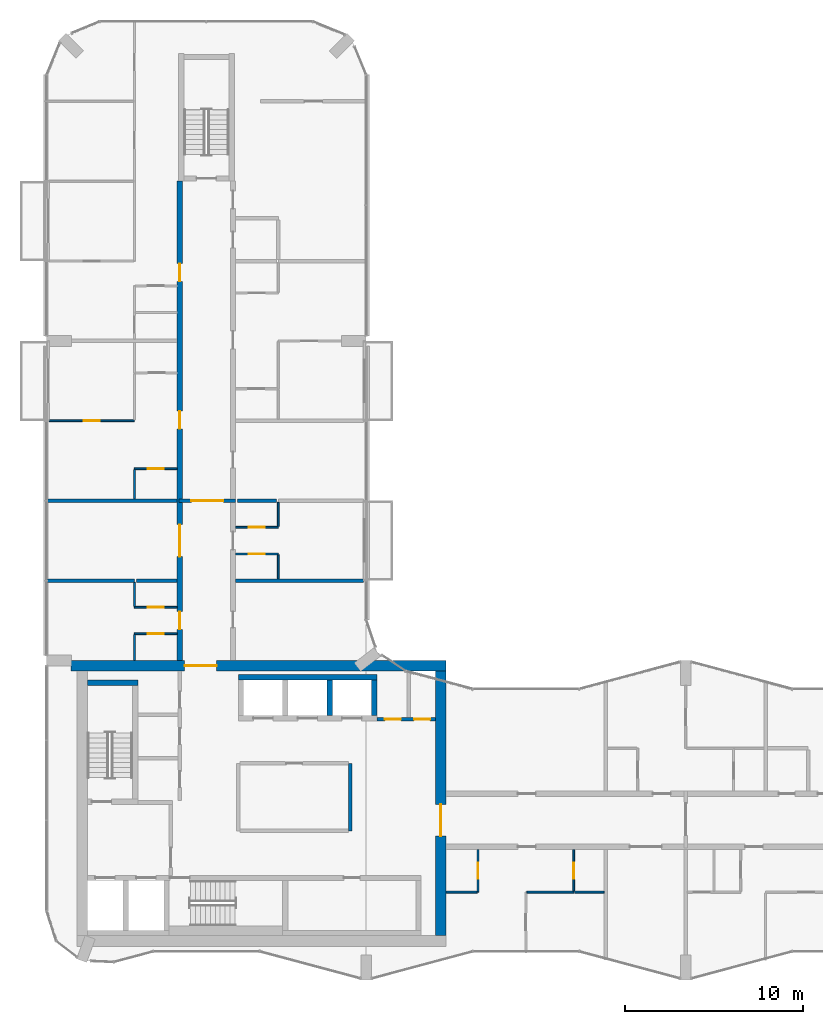
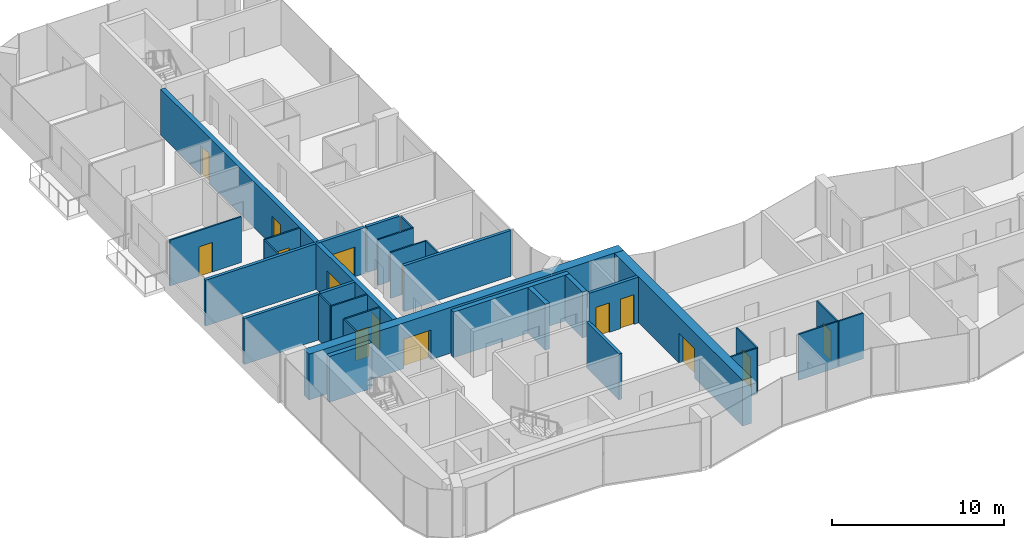
# One storey, part 10 of 15: 31 walls, 17 doors, 17 openings.
"""IFC4 building model written with IfcOpenShell, lengths in metres."""

from ifc_helpers import new_model, si_unit, direction, frame, frame_2d, origin, place, context, subcontext, project, spatial, rectangle, extrude, material, layer, layer_set, type_object, element, fill, save


model = new_model("IFC4")

# Units and contexts
model_context = context("Model", 3, precision=1e-05, world=origin(), true_north=direction((0.0, 1.0)))
body_context = subcontext(model_context, "Body", "Model", "MODEL_VIEW")
ifc_project = project(units=[si_unit("LENGTHUNIT", "METRE"), si_unit("AREAUNIT", "SQUARE_METRE"), si_unit("VOLUMEUNIT", "CUBIC_METRE"), si_unit("PLANEANGLEUNIT", "RADIAN"), si_unit("MASSUNIT", "GRAM", prefix="KILO")], contexts=[model_context])

# Site, building, storey
site_placement = place(None, origin())
site = spatial("IfcSite", under=ifc_project, at=site_placement, CompositionType="ELEMENT")
building_placement = place(site_placement, origin())
building = spatial("IfcBuilding", under=site, at=building_placement, Name="Plateau Cross Towers", CompositionType="ELEMENT")
storey_placement = place(building_placement, frame((0.0, 0.0, 153.39990234375)))
storey = spatial("IfcBuildingStorey", under=building, at=storey_placement, Name="L39", CompositionType="ELEMENT", Elevation=153.39990234375)

# Wall
ifc_material_1 = material(Name="Concrete block, plastered both sides", Category="concrete")
ifc_layer_1 = layer(ifc_material_1, 0.199951171875)
ifc_layer_set_1 = layer_set([ifc_layer_1], Name="Concrete block, plastered both sides")
wall_type_1 = type_object("IfcWallType", Name="Core partition 200", PredefinedType="PARTITIONING", material=ifc_layer_set_1)
wall_1_placement = place(storey_placement, frame((17.10009765625, 8.39990234375, 0.0), z_axis=(0.0, 0.0, 1.0), x_axis=(0.0, 1.0, 0.0)))
element("IfcWall", 1, at=wall_1_placement, inside=storey, type_object=wall_type_1, Name="Core partition", PredefinedType="PARTITIONING", context=body_context, shape_type="SweptSolid", body=[
    extrude(rectangle(XDim=3.800048828125, YDim=0.199951171875, at=frame_2d((1.89990234375, 0.0))), origin(), (0.0, 0.0, 1.0), 3.25),
])

# Wall, openings, doors
wall_2_placement = place(storey_placement, frame((18.60009765625, 14.699951171875, 0.0), z_axis=(0.0, 0.0, 1.0), x_axis=(1.0, 0.0, 0.0)))
wall_2 = element("IfcWall", 2, at=wall_2_placement, inside=storey, type_object=wall_type_1, Name="Core partition", PredefinedType="PARTITIONING", context=body_context, shape_type="SweptSolid", body=[
    extrude(rectangle(XDim=3.2998046875, YDim=0.199951171875, at=frame_2d((1.64990234375, 0.0))), origin(), (0.0, 0.0, 1.0), 3.25),
])
opening_1_placement = place(wall_2_placement, frame((0.449951171875, 0.0, 0.0)))
opening_1 = element("IfcOpeningElement", 3, at=opening_1_placement, cuts=wall_2, Name="Opening RD2", PredefinedType="OPENING", context=body_context, shape_type="SweptSolid", body=[
    extrude(rectangle(XDim=0.89990234375, YDim=2.10009765625, at=frame_2d((0.449951171875, 1.050048828125))), frame((0.0, 0.10986328125, 0.0), z_axis=(0.0, -1.0, 0.0), x_axis=(1.0, 0.0, 0.0)), (0.0, 0.0, 1.0), 0.219970703125),
])
opening_2_placement = place(wall_2_placement, frame((2.10009765625, 0.0, 0.0)))
opening_2 = element("IfcOpeningElement", 4, at=opening_2_placement, cuts=wall_2, Name="Opening RD2", PredefinedType="OPENING", context=body_context, shape_type="SweptSolid", body=[
    extrude(rectangle(XDim=0.89990234375, YDim=2.10009765625, at=frame_2d((0.449951171875, 1.050048828125))), frame((0.0, 0.10986328125, 0.0), z_axis=(0.0, -1.0, 0.0), x_axis=(1.0, 0.0, 0.0)), (0.0, 0.0, 1.0), 0.219970703125),
])
ifc_material_2 = material(Name="Steel, fire-resisting leaf", Category="steel")
door_type_1 = type_object("IfcDoorType", Name="Core riser door 900", OperationType="NOTDEFINED", PredefinedType="DOOR", material=ifc_material_2)
door_1_placement = place(opening_1_placement, origin())
door_1 = element("IfcDoor", 5, at=door_1_placement, inside=storey, type_object=door_type_1, Name="Core riser door RD2", OperationType="SINGLE_SWING_LEFT", OverallHeight=2.10009765625, OverallWidth=0.89990234375, PredefinedType="DOOR", context=body_context, shape_type="SweptSolid", body=[
    extrude(rectangle(XDim=0.89990234375, YDim=2.10009765625, at=frame_2d((0.449951171875, 1.050048828125))), frame((0.0, 0.02490234375, 0.0), z_axis=(0.0, -1.0, 0.0), x_axis=(1.0, 0.0, 0.0)), (0.0, 0.0, 1.0), 0.050048828125),
])
fill(opening_1, door_1)
door_2_placement = place(opening_2_placement, origin())
door_2 = element("IfcDoor", 6, at=door_2_placement, inside=storey, type_object=door_type_1, Name="Core riser door RD2", OperationType="SINGLE_SWING_LEFT", OverallHeight=2.10009765625, OverallWidth=0.89990234375, PredefinedType="DOOR", context=body_context, shape_type="SweptSolid", body=[
    extrude(rectangle(XDim=0.89990234375, YDim=2.10009765625, at=frame_2d((0.449951171875, 1.050048828125))), frame((0.0, 0.02490234375, 0.0), z_axis=(0.0, -1.0, 0.0), x_axis=(1.0, 0.0, 0.0)), (0.0, 0.0, 1.0), 0.050048828125),
])
fill(opening_2, door_2)

# Walls
ifc_material_3 = material(Name="Concrete C60/75", Category="concrete")
ifc_layer_2 = layer(ifc_material_3, 0.300048828125)
ifc_layer_set_2 = layer_set([ifc_layer_2], Name="Concrete C60/75")
wall_type_2 = type_object("IfcWallType", Name="Core shaft wall 300", PredefinedType="SHEAR", material=ifc_layer_set_2)
wall_3_placement = place(storey_placement, frame((2.300048828125, 16.75, 0.0), z_axis=(0.0, 0.0, 1.0), x_axis=(1.0, 0.0, 0.0)))
element("IfcWall", 7, at=wall_3_placement, inside=storey, type_object=wall_type_2, Name="A-st1-N@L39", PredefinedType="SHEAR", context=body_context, shape_type="SweptSolid", body=[
    extrude(rectangle(XDim=2.849853515625, YDim=0.300048828125, at=frame_2d((1.4248046875, 0.0))), origin(), (0.0, 0.0, 1.0), 3.25),
])
wall_4_placement = place(storey_placement, frame((10.800048828125, 17.050048828125, 0.0), z_axis=(0.0, 0.0, 1.0), x_axis=(1.0, 0.0, 0.0)))
element("IfcWall", 8, at=wall_4_placement, inside=storey, type_object=wall_type_2, Name="A-nb-back@L39", PredefinedType="SHEAR", context=body_context, shape_type="SweptSolid", body=[
    extrude(rectangle(XDim=7.800048828125, YDim=0.300048828125, at=frame_2d((3.89990234375, 0.0))), origin(), (0.0, 0.0, 1.0), 3.25),
])
for number, where, z_axis, x_axis, name in (
    (9, (15.949951171875, 14.89990234375, 0.0), (0.0, 0.0, 1.0), (0.0, 1.0, 0.0), "A-nb-v3@L39"),
    (10, (18.449951171875, 14.89990234375, 0.0), (0.0, 0.0, 1.0), (0.0, 1.0, 0.0), "A-nb-v4@L39"),
):
    element("IfcWall", number, at=place(storey_placement, frame(where, z_axis=z_axis, x_axis=x_axis)), inside=storey, type_object=wall_type_2, Name=name, PredefinedType="SHEAR", context=body_context, shape_type="SweptSolid", body=[
        extrude(rectangle(XDim=2.0, YDim=0.300048828125, at=frame_2d((1.0, 0.0))), origin(), (0.0, 0.0, 1.0), 3.25),
    ])

# Wall, opening, door
ifc_layer_3 = layer(ifc_material_3, 0.60009765625)
ifc_layer_set_3 = layer_set([ifc_layer_3], Name="Concrete C60/75")
wall_type_3 = type_object("IfcWallType", Name="Core shell wall 600", PredefinedType="SHEAR", material=ifc_layer_set_3)
wall_5_placement = place(storey_placement, frame((1.3798828125, 17.699951171875, 0.0), z_axis=(0.0, 0.0, 1.0), x_axis=(1.0, 0.0, 0.0)))
wall_5 = element("IfcWall", 11, at=wall_5_placement, inside=storey, type_object=wall_type_3, Name="A-core-N@L39", PredefinedType="SHEAR", context=body_context, shape_type="SweptSolid", body=[
    extrude(rectangle(XDim=21.1201171875, YDim=0.60009765625, at=frame_2d((10.56005859375, 0.0))), origin(), (0.0, 0.0, 1.0), 3.25),
])
opening_3_placement = place(wall_5_placement, frame((6.39990234375, 0.0, 0.0)))
opening_3 = element("IfcOpeningElement", 12, at=opening_3_placement, cuts=wall_5, Name="Opening CD", PredefinedType="OPENING", context=body_context, shape_type="SweptSolid", body=[
    extrude(rectangle(XDim=1.800048828125, YDim=2.10009765625, at=frame_2d((0.89990234375, 1.050048828125))), frame((0.0, 0.31005859375, 0.0), z_axis=(0.0, -1.0, 0.0), x_axis=(1.0, 0.0, 0.0)), (0.0, 0.0, 1.0), 0.6201171875),
])
ifc_material_4 = material(Name="Steel, fire-resisting leaves", Category="steel")
door_type_2 = type_object("IfcDoorType", Name="Corridor door pair 1800", OperationType="NOTDEFINED", PredefinedType="DOOR", material=ifc_material_4)
door_3_placement = place(opening_3_placement, origin())
door_3 = element("IfcDoor", 13, at=door_3_placement, inside=storey, type_object=door_type_2, Name="Corridor door pair CD", OperationType="DOUBLE_DOOR_SINGLE_SWING", OverallHeight=2.10009765625, OverallWidth=1.800048828125, PredefinedType="DOOR", context=body_context, shape_type="SweptSolid", body=[
    extrude(rectangle(XDim=1.800048828125, YDim=2.10009765625, at=frame_2d((0.89990234375, 1.050048828125))), frame((0.0, 0.02490234375, 0.0), z_axis=(0.0, -1.0, 0.0), x_axis=(1.0, 0.0, 0.0)), (0.0, 0.0, 1.0), 0.050048828125),
])
fill(opening_3, door_3)

wall_6_placement = place(storey_placement, frame((22.199951171875, 2.5, 0.0), z_axis=(0.0, 0.0, 1.0), x_axis=(0.0, 1.0, 0.0)))
wall_6 = element("IfcWall", 14, at=wall_6_placement, inside=storey, type_object=wall_type_3, Name="A-core-E@L39", PredefinedType="SHEAR", context=body_context, shape_type="SweptSolid", body=[
    extrude(rectangle(XDim=14.89990234375, YDim=0.60009765625, at=frame_2d((7.449951171875, 0.0))), origin(), (0.0, 0.0, 1.0), 3.25),
])
opening_4_placement = place(wall_6_placement, frame((5.60009765625, 0.0, 0.0)))
opening_4 = element("IfcOpeningElement", 15, at=opening_4_placement, cuts=wall_6, Name="Opening CD", PredefinedType="OPENING", context=body_context, shape_type="SweptSolid", body=[
    extrude(rectangle(XDim=1.800048828125, YDim=2.10009765625, at=frame_2d((0.89990234375, 1.050048828125))), frame((0.0, 0.31005859375, 0.0), z_axis=(0.0, -1.0, 0.0), x_axis=(1.0, 0.0, 0.0)), (0.0, 0.0, 1.0), 0.6201171875),
])
door_4_placement = place(opening_4_placement, origin())
door_4 = element("IfcDoor", 16, at=door_4_placement, inside=storey, type_object=door_type_2, Name="Corridor door pair CD", OperationType="DOUBLE_DOOR_SINGLE_SWING", OverallHeight=2.10009765625, OverallWidth=1.800048828125, PredefinedType="DOOR", context=body_context, shape_type="SweptSolid", body=[
    extrude(rectangle(XDim=1.800048828125, YDim=2.10009765625, at=frame_2d((0.89990234375, 1.050048828125))), frame((0.0, 0.02490234375, 0.0), z_axis=(0.0, -1.0, 0.0), x_axis=(1.0, 0.0, 0.0)), (0.0, 0.0, 1.0), 0.050048828125),
])
fill(opening_4, door_4)

# Wall, openings, doors
ifc_layer_4 = layer(ifc_material_3, 0.300048828125)
ifc_layer_set_4 = layer_set([ifc_layer_4], Name="Concrete C60/75")
wall_type_4 = type_object("IfcWallType", Name="Corridor wall 300", PredefinedType="SHEAR", material=ifc_layer_set_4)
wall_7_placement = place(storey_placement, frame((7.5, 18.0, 0.0), z_axis=(0.0, 0.0, 1.0), x_axis=(0.0, 1.0, 0.0)))
wall_7 = element("IfcWall", 17, at=wall_7_placement, inside=storey, type_object=wall_type_4, Name="A-cw-W1@L39", PredefinedType="SHEAR", context=body_context, shape_type="SweptSolid", body=[
    extrude(rectangle(XDim=27.0, YDim=0.300048828125, at=frame_2d((13.5, 0.0))), origin(), (0.0, 0.0, 1.0), 3.25),
])
opening_5_placement = place(wall_7_placement, frame((1.75, 0.0, 0.0)))
opening_5 = element("IfcOpeningElement", 18, at=opening_5_placement, cuts=wall_7, Name="Opening 39-08", PredefinedType="OPENING", context=body_context, shape_type="SweptSolid", body=[
    extrude(rectangle(XDim=1.0, YDim=2.10009765625, at=frame_2d((0.5, 1.050048828125))), frame((0.0, 0.159912109375, 0.0), z_axis=(0.0, -1.0, 0.0), x_axis=(1.0, 0.0, 0.0)), (0.0, 0.0, 1.0), 0.320068359375),
])
opening_6_placement = place(wall_7_placement, frame((5.85009765625, 0.0, 0.0)))
opening_6 = element("IfcOpeningElement", 19, at=opening_6_placement, cuts=wall_7, Name="Opening 39-09", PredefinedType="OPENING", context=body_context, shape_type="SweptSolid", body=[
    extrude(rectangle(XDim=1.800048828125, YDim=2.10009765625, at=frame_2d((0.89990234375, 1.050048828125))), frame((0.0, 0.159912109375, 0.0), z_axis=(0.0, -1.0, 0.0), x_axis=(1.0, 0.0, 0.0)), (0.0, 0.0, 1.0), 0.320068359375),
])
opening_7_placement = place(wall_7_placement, frame((13.050048828125, 0.0, 0.0)))
opening_7 = element("IfcOpeningElement", 20, at=opening_7_placement, cuts=wall_7, Name="Opening 39-10", PredefinedType="OPENING", context=body_context, shape_type="SweptSolid", body=[
    extrude(rectangle(XDim=1.0, YDim=2.10009765625, at=frame_2d((0.5, 1.050048828125))), frame((0.0, 0.159912109375, 0.0), z_axis=(0.0, -1.0, 0.0), x_axis=(1.0, 0.0, 0.0)), (0.0, 0.0, 1.0), 0.320068359375),
])
opening_8_placement = place(wall_7_placement, frame((21.35009765625, 0.0, 0.0)))
opening_8 = element("IfcOpeningElement", 21, at=opening_8_placement, cuts=wall_7, Name="Opening 39-11", PredefinedType="OPENING", context=body_context, shape_type="SweptSolid", body=[
    extrude(rectangle(XDim=1.0, YDim=2.10009765625, at=frame_2d((0.5, 1.050048828125))), frame((0.0, 0.159912109375, 0.0), z_axis=(0.0, -1.0, 0.0), x_axis=(1.0, 0.0, 0.0)), (0.0, 0.0, 1.0), 0.320068359375),
])
ifc_material_5 = material(Name="Timber, fire-resisting leaf", Category="wood")
door_type_3 = type_object("IfcDoorType", Name="Flat entrance door 1000", OperationType="NOTDEFINED", PredefinedType="DOOR", material=ifc_material_5)
door_5_placement = place(opening_5_placement, origin())
door_5 = element("IfcDoor", 22, at=door_5_placement, inside=storey, type_object=door_type_3, Name="Door 39-08", OperationType="SINGLE_SWING_LEFT", OverallHeight=2.10009765625, OverallWidth=1.0, PredefinedType="DOOR", context=body_context, shape_type="SweptSolid", body=[
    extrude(rectangle(XDim=1.0, YDim=2.10009765625, at=frame_2d((0.5, 1.050048828125))), frame((0.0, 0.02490234375, 0.0), z_axis=(0.0, -1.0, 0.0), x_axis=(1.0, 0.0, 0.0)), (0.0, 0.0, 1.0), 0.050048828125),
])
fill(opening_5, door_5)
door_6_placement = place(opening_7_placement, origin())
door_6 = element("IfcDoor", 23, at=door_6_placement, inside=storey, type_object=door_type_3, Name="Door 39-10", OperationType="SINGLE_SWING_RIGHT", OverallHeight=2.10009765625, OverallWidth=1.0, PredefinedType="DOOR", context=body_context, shape_type="SweptSolid", body=[
    extrude(rectangle(XDim=1.0, YDim=2.10009765625, at=frame_2d((0.5, 1.050048828125))), frame((0.0, 0.02490234375, 0.0), z_axis=(0.0, -1.0, 0.0), x_axis=(1.0, 0.0, 0.0)), (0.0, 0.0, 1.0), 0.050048828125),
])
fill(opening_7, door_6)
door_7_placement = place(opening_8_placement, origin())
door_7 = element("IfcDoor", 24, at=door_7_placement, inside=storey, type_object=door_type_3, Name="Door 39-11", OperationType="SINGLE_SWING_RIGHT", OverallHeight=2.10009765625, OverallWidth=1.0, PredefinedType="DOOR", context=body_context, shape_type="SweptSolid", body=[
    extrude(rectangle(XDim=1.0, YDim=2.10009765625, at=frame_2d((0.5, 1.050048828125))), frame((0.0, 0.02490234375, 0.0), z_axis=(0.0, -1.0, 0.0), x_axis=(1.0, 0.0, 0.0)), (0.0, 0.0, 1.0), 0.050048828125),
])
fill(opening_8, door_7)
ifc_material_6 = material(Name="Timber, fire-resisting leaves", Category="wood")
door_type_4 = type_object("IfcDoorType", Name="Flat floor fire door pair 1800", OperationType="NOTDEFINED", PredefinedType="DOOR", material=ifc_material_6)
door_8_placement = place(opening_6_placement, origin())
door_8 = element("IfcDoor", 25, at=door_8_placement, inside=storey, type_object=door_type_4, Name="Door 39-09", OperationType="SINGLE_SWING_LEFT", OverallHeight=2.10009765625, OverallWidth=1.800048828125, PredefinedType="DOOR", context=body_context, shape_type="SweptSolid", body=[
    extrude(rectangle(XDim=1.800048828125, YDim=2.10009765625, at=frame_2d((0.89990234375, 1.050048828125))), frame((0.0, 0.02490234375, 0.0), z_axis=(0.0, -1.0, 0.0), x_axis=(1.0, 0.0, 0.0)), (0.0, 0.0, 1.0), 0.050048828125),
])
fill(opening_6, door_8)

# Walls
ifc_material_7 = material(Name="Gypsum board on steel studs", Category="steel")
ifc_layer_5 = layer(ifc_material_7, 0.10009765625)
ifc_layer_set_5 = layer_set([ifc_layer_5], Name="Gypsum board on steel studs")
wall_type_5 = type_object("IfcWallType", Name="Flat partition 100", PredefinedType="PARTITIONING", material=ifc_layer_set_5)
wall_8_placement = place(storey_placement, frame((29.699951171875, 4.949951171875, 0.0), z_axis=(0.0, 0.0, 1.0), x_axis=(-1.0, 0.0, 0.0)))
element("IfcWall", 26, at=wall_8_placement, inside=storey, type_object=wall_type_5, Name="Partition wall", PredefinedType="PARTITIONING", context=body_context, shape_type="SweptSolid", body=[
    extrude(rectangle(XDim=2.64990234375, YDim=0.10009765625, at=frame_2d((1.324951171875, 0.0))), origin(), (0.0, 0.0, 1.0), 3.25),
])
wall_9_placement = place(storey_placement, frame((22.5, 4.949951171875, 0.0), z_axis=(0.0, 0.0, 1.0), x_axis=(1.0, 0.0, 0.0)))
element("IfcWall", 27, at=wall_9_placement, inside=storey, type_object=wall_type_5, Name="Partition wall", PredefinedType="PARTITIONING", context=body_context, shape_type="SweptSolid", body=[
    extrude(rectangle(XDim=1.75, YDim=0.10009765625, at=frame_2d((0.875, 0.0))), origin(), (0.0, 0.0, 1.0), 3.25),
])
wall_10_placement = place(storey_placement, frame((29.75, 4.949951171875, 0.0), z_axis=(0.0, 0.0, 1.0), x_axis=(1.0, 0.0, 0.0)))
element("IfcWall", 28, at=wall_10_placement, inside=storey, type_object=wall_type_5, Name="Partition wall", PredefinedType="PARTITIONING", context=body_context, shape_type="SweptSolid", body=[
    extrude(rectangle(XDim=1.64990234375, YDim=0.10009765625, at=frame_2d((0.824951171875, 0.0))), origin(), (0.0, 0.0, 1.0), 3.25),
])

# Wall, opening, door
wall_11_placement = place(storey_placement, frame((7.35009765625, 19.5, 0.0), z_axis=(0.0, 0.0, 1.0), x_axis=(-1.0, 0.0, 0.0)))
wall_11 = element("IfcWall", 29, at=wall_11_placement, inside=storey, type_object=wall_type_5, Name="Partition wall", PredefinedType="PARTITIONING", context=body_context, shape_type="SweptSolid", body=[
    extrude(rectangle(XDim=2.400146484375, YDim=0.10009765625, at=frame_2d((1.2001953125, 0.0))), origin(), (0.0, 0.0, 1.0), 3.25),
])
opening_9_placement = place(wall_11_placement, frame((0.75, 0.0, 0.0)))
opening_9 = element("IfcOpeningElement", 30, at=opening_9_placement, cuts=wall_11, Name="Opening 39-33", PredefinedType="OPENING", context=body_context, shape_type="SweptSolid", body=[
    extrude(rectangle(XDim=0.89990234375, YDim=2.10009765625, at=frame_2d((0.449951171875, 1.050048828125))), frame((0.0, 0.06005859375, 0.0), z_axis=(0.0, -1.0, 0.0), x_axis=(1.0, 0.0, 0.0)), (0.0, 0.0, 1.0), 0.1201171875),
])
ifc_material_8 = material(Name="Timber leaf", Category="wood")
door_type_5 = type_object("IfcDoorType", Name="Flat room door 900", OperationType="NOTDEFINED", PredefinedType="DOOR", material=ifc_material_8)
door_9_placement = place(opening_9_placement, origin())
door_9 = element("IfcDoor", 31, at=door_9_placement, inside=storey, type_object=door_type_5, Name="Door 39-33", OperationType="SINGLE_SWING_RIGHT", OverallHeight=2.10009765625, OverallWidth=0.89990234375, PredefinedType="DOOR", context=body_context, shape_type="SweptSolid", body=[
    extrude(rectangle(XDim=0.89990234375, YDim=2.10009765625, at=frame_2d((0.449951171875, 1.050048828125))), frame((0.0, 0.02490234375, 0.0), z_axis=(0.0, -1.0, 0.0), x_axis=(1.0, 0.0, 0.0)), (0.0, 0.0, 1.0), 0.050048828125),
])
fill(opening_9, door_9)

wall_12_placement = place(storey_placement, frame((4.949951171875, 21.0, 0.0), z_axis=(0.0, 0.0, 1.0), x_axis=(1.0, 0.0, 0.0)))
wall_12 = element("IfcWall", 32, at=wall_12_placement, inside=storey, type_object=wall_type_5, Name="Partition wall", PredefinedType="PARTITIONING", context=body_context, shape_type="SweptSolid", body=[
    extrude(rectangle(XDim=2.400146484375, YDim=0.10009765625, at=frame_2d((1.2001953125, 0.0))), origin(), (0.0, 0.0, 1.0), 3.25),
])
opening_10_placement = place(wall_12_placement, frame((0.75, 0.0, 0.0)))
opening_10 = element("IfcOpeningElement", 33, at=opening_10_placement, cuts=wall_12, Name="Opening 39-34", PredefinedType="OPENING", context=body_context, shape_type="SweptSolid", body=[
    extrude(rectangle(XDim=0.89990234375, YDim=2.10009765625, at=frame_2d((0.449951171875, 1.050048828125))), frame((0.0, 0.06005859375, 0.0), z_axis=(0.0, -1.0, 0.0), x_axis=(1.0, 0.0, 0.0)), (0.0, 0.0, 1.0), 0.1201171875),
])
door_10_placement = place(opening_10_placement, origin())
door_10 = element("IfcDoor", 34, at=door_10_placement, inside=storey, type_object=door_type_5, Name="Door 39-34", OperationType="SINGLE_SWING_RIGHT", OverallHeight=2.10009765625, OverallWidth=0.89990234375, PredefinedType="DOOR", context=body_context, shape_type="SweptSolid", body=[
    extrude(rectangle(XDim=0.89990234375, YDim=2.10009765625, at=frame_2d((0.449951171875, 1.050048828125))), frame((0.0, 0.02490234375, 0.0), z_axis=(0.0, -1.0, 0.0), x_axis=(1.0, 0.0, 0.0)), (0.0, 0.0, 1.0), 0.050048828125),
])
fill(opening_10, door_10)

wall_13_placement = place(storey_placement, frame((13.050048828125, 24.0, 0.0), z_axis=(0.0, 0.0, 1.0), x_axis=(-1.0, 0.0, 0.0)))
wall_13 = element("IfcWall", 35, at=wall_13_placement, inside=storey, type_object=wall_type_5, Name="Partition wall", PredefinedType="PARTITIONING", context=body_context, shape_type="SweptSolid", body=[
    extrude(rectangle(XDim=2.400146484375, YDim=0.10009765625, at=frame_2d((1.2001953125, 0.0))), origin(), (0.0, 0.0, 1.0), 3.25),
])
opening_11_placement = place(wall_13_placement, frame((0.75, 0.0, 0.0)))
opening_11 = element("IfcOpeningElement", 36, at=opening_11_placement, cuts=wall_13, Name="Opening 39-43", PredefinedType="OPENING", context=body_context, shape_type="SweptSolid", body=[
    extrude(rectangle(XDim=0.89990234375, YDim=2.10009765625, at=frame_2d((0.449951171875, 1.050048828125))), frame((0.0, 0.06005859375, 0.0), z_axis=(0.0, -1.0, 0.0), x_axis=(1.0, 0.0, 0.0)), (0.0, 0.0, 1.0), 0.1201171875),
])
door_11_placement = place(opening_11_placement, origin())
door_11 = element("IfcDoor", 37, at=door_11_placement, inside=storey, type_object=door_type_5, Name="Door 39-43", OperationType="SINGLE_SWING_LEFT", OverallHeight=2.10009765625, OverallWidth=0.89990234375, PredefinedType="DOOR", context=body_context, shape_type="SweptSolid", body=[
    extrude(rectangle(XDim=0.89990234375, YDim=2.10009765625, at=frame_2d((0.449951171875, 1.050048828125))), frame((0.0, 0.02490234375, 0.0), z_axis=(0.0, -1.0, 0.0), x_axis=(1.0, 0.0, 0.0)), (0.0, 0.0, 1.0), 0.050048828125),
])
fill(opening_11, door_11)

wall_14_placement = place(storey_placement, frame((10.64990234375, 25.5, 0.0), z_axis=(0.0, 0.0, 1.0), x_axis=(1.0, 0.0, 0.0)))
wall_14 = element("IfcWall", 38, at=wall_14_placement, inside=storey, type_object=wall_type_5, Name="Partition wall", PredefinedType="PARTITIONING", context=body_context, shape_type="SweptSolid", body=[
    extrude(rectangle(XDim=2.400146484375, YDim=0.10009765625, at=frame_2d((1.2001953125, 0.0))), origin(), (0.0, 0.0, 1.0), 3.25),
])
opening_12_placement = place(wall_14_placement, frame((0.75, 0.0, 0.0)))
opening_12 = element("IfcOpeningElement", 39, at=opening_12_placement, cuts=wall_14, Name="Opening 39-44", PredefinedType="OPENING", context=body_context, shape_type="SweptSolid", body=[
    extrude(rectangle(XDim=0.89990234375, YDim=2.10009765625, at=frame_2d((0.449951171875, 1.050048828125))), frame((0.0, 0.06005859375, 0.0), z_axis=(0.0, -1.0, 0.0), x_axis=(1.0, 0.0, 0.0)), (0.0, 0.0, 1.0), 0.1201171875),
])
door_12_placement = place(opening_12_placement, origin())
door_12 = element("IfcDoor", 40, at=door_12_placement, inside=storey, type_object=door_type_5, Name="Door 39-44", OperationType="SINGLE_SWING_LEFT", OverallHeight=2.10009765625, OverallWidth=0.89990234375, PredefinedType="DOOR", context=body_context, shape_type="SweptSolid", body=[
    extrude(rectangle(XDim=0.89990234375, YDim=2.10009765625, at=frame_2d((0.449951171875, 1.050048828125))), frame((0.0, 0.02490234375, 0.0), z_axis=(0.0, -1.0, 0.0), x_axis=(1.0, 0.0, 0.0)), (0.0, 0.0, 1.0), 0.050048828125),
])
fill(opening_12, door_12)

wall_15_placement = place(storey_placement, frame((7.35009765625, 28.800048828125, 0.0), z_axis=(0.0, 0.0, 1.0), x_axis=(-1.0, 0.0, 0.0)))
wall_15 = element("IfcWall", 41, at=wall_15_placement, inside=storey, type_object=wall_type_5, Name="Partition wall", PredefinedType="PARTITIONING", context=body_context, shape_type="SweptSolid", body=[
    extrude(rectangle(XDim=2.400146484375, YDim=0.10009765625, at=frame_2d((1.2001953125, 0.0))), origin(), (0.0, 0.0, 1.0), 3.25),
])
opening_13_placement = place(wall_15_placement, frame((0.75, 0.0, 0.0)))
opening_13 = element("IfcOpeningElement", 42, at=opening_13_placement, cuts=wall_15, Name="Opening 39-35", PredefinedType="OPENING", context=body_context, shape_type="SweptSolid", body=[
    extrude(rectangle(XDim=0.89990234375, YDim=2.10009765625, at=frame_2d((0.449951171875, 1.050048828125))), frame((0.0, 0.06005859375, 0.0), z_axis=(0.0, -1.0, 0.0), x_axis=(1.0, 0.0, 0.0)), (0.0, 0.0, 1.0), 0.1201171875),
])
door_13_placement = place(opening_13_placement, origin())
door_13 = element("IfcDoor", 43, at=door_13_placement, inside=storey, type_object=door_type_5, Name="Door 39-35", OperationType="SINGLE_SWING_RIGHT", OverallHeight=2.10009765625, OverallWidth=0.89990234375, PredefinedType="DOOR", context=body_context, shape_type="SweptSolid", body=[
    extrude(rectangle(XDim=0.89990234375, YDim=2.10009765625, at=frame_2d((0.449951171875, 1.050048828125))), frame((0.0, 0.02490234375, 0.0), z_axis=(0.0, -1.0, 0.0), x_axis=(1.0, 0.0, 0.0)), (0.0, 0.0, 1.0), 0.050048828125),
])
fill(opening_13, door_13)

wall_16_placement = place(storey_placement, frame((0.14990234375, 31.5, 0.0), z_axis=(0.0, 0.0, 1.0), x_axis=(1.0, 0.0, 0.0)))
wall_16 = element("IfcWall", 44, at=wall_16_placement, inside=storey, type_object=wall_type_5, Name="Partition wall", PredefinedType="PARTITIONING", context=body_context, shape_type="SweptSolid", body=[
    extrude(rectangle(XDim=4.800048828125, YDim=0.10009765625, at=frame_2d((2.39990234375, 0.0))), origin(), (0.0, 0.0, 1.0), 3.25),
])
opening_14_placement = place(wall_16_placement, frame((1.949951171875, 0.0, 0.0)))
opening_14 = element("IfcOpeningElement", 45, at=opening_14_placement, cuts=wall_16, Name="Opening 39-37", PredefinedType="OPENING", context=body_context, shape_type="SweptSolid", body=[
    extrude(rectangle(XDim=0.89990234375, YDim=2.10009765625, at=frame_2d((0.449951171875, 1.050048828125))), frame((0.0, 0.06005859375, 0.0), z_axis=(0.0, -1.0, 0.0), x_axis=(1.0, 0.0, 0.0)), (0.0, 0.0, 1.0), 0.1201171875),
])
door_14_placement = place(opening_14_placement, origin())
door_14 = element("IfcDoor", 46, at=door_14_placement, inside=storey, type_object=door_type_5, Name="Door 39-37", OperationType="SINGLE_SWING_LEFT", OverallHeight=2.10009765625, OverallWidth=0.89990234375, PredefinedType="DOOR", context=body_context, shape_type="SweptSolid", body=[
    extrude(rectangle(XDim=0.89990234375, YDim=2.10009765625, at=frame_2d((0.449951171875, 1.050048828125))), frame((0.0, 0.02490234375, 0.0), z_axis=(0.0, -1.0, 0.0), x_axis=(1.0, 0.0, 0.0)), (0.0, 0.0, 1.0), 0.050048828125),
])
fill(opening_14, door_14)

# Walls
wall_17_placement = place(storey_placement, frame((4.949951171875, 19.449951171875, 0.0), z_axis=(0.0, 0.0, 1.0), x_axis=(0.0, -1.0, 0.0)))
element("IfcWall", 47, at=wall_17_placement, inside=storey, type_object=wall_type_5, Name="Partition wall", PredefinedType="PARTITIONING", context=body_context, shape_type="SweptSolid", body=[
    extrude(rectangle(XDim=1.449951171875, YDim=0.10009765625, at=frame_2d((0.72509765625, 0.0))), origin(), (0.0, 0.0, 1.0), 3.25),
])
wall_18_placement = place(storey_placement, frame((4.949951171875, 22.39990234375, 0.0), z_axis=(0.0, 0.0, 1.0), x_axis=(0.0, -1.0, 0.0)))
element("IfcWall", 48, at=wall_18_placement, inside=storey, type_object=wall_type_5, Name="Partition wall", PredefinedType="PARTITIONING", context=body_context, shape_type="SweptSolid", body=[
    extrude(rectangle(XDim=1.349853515625, YDim=0.10009765625, at=frame_2d((0.6748046875, 0.0))), origin(), (0.0, 0.0, 1.0), 3.25),
])
wall_19_placement = place(storey_placement, frame((4.949951171875, 28.75, 0.0), z_axis=(0.0, 0.0, 1.0), x_axis=(0.0, -1.0, 0.0)))
element("IfcWall", 49, at=wall_19_placement, inside=storey, type_object=wall_type_5, Name="Partition wall", PredefinedType="PARTITIONING", context=body_context, shape_type="SweptSolid", body=[
    extrude(rectangle(XDim=1.64990234375, YDim=0.10009765625, at=frame_2d((0.824951171875, 0.0))), origin(), (0.0, 0.0, 1.0), 3.25),
])
for number, where, z_axis, x_axis, name in (
    (50, (13.050048828125, 22.60009765625, 0.0), (0.0, 0.0, 1.0), (0.0, 1.0, 0.0), "Partition wall"),
    (51, (13.050048828125, 25.550048828125, 0.0), (0.0, 0.0, 1.0), (0.0, 1.0, 0.0), "Partition wall"),
):
    element("IfcWall", number, at=place(storey_placement, frame(where, z_axis=z_axis, x_axis=x_axis)), inside=storey, type_object=wall_type_5, Name=name, PredefinedType="PARTITIONING", context=body_context, shape_type="SweptSolid", body=[
        extrude(rectangle(XDim=1.349853515625, YDim=0.10009765625, at=frame_2d((0.6748046875, 0.0))), origin(), (0.0, 0.0, 1.0), 3.25),
    ])

# Wall, opening, door
wall_20_placement = place(storey_placement, frame((24.300048828125, 4.949951171875, 0.0), z_axis=(0.0, 0.0, 1.0), x_axis=(0.0, 1.0, 0.0)))
wall_20 = element("IfcWall", 52, at=wall_20_placement, inside=storey, type_object=wall_type_5, Name="Partition wall", PredefinedType="PARTITIONING", context=body_context, shape_type="SweptSolid", body=[
    extrude(rectangle(XDim=2.400146484375, YDim=0.10009765625, at=frame_2d((1.2001953125, 0.0))), origin(), (0.0, 0.0, 1.0), 3.25),
])
opening_15_placement = place(wall_20_placement, frame((0.75, 0.0, 0.0)))
opening_15 = element("IfcOpeningElement", 53, at=opening_15_placement, cuts=wall_20, Name="Opening 39-22", PredefinedType="OPENING", context=body_context, shape_type="SweptSolid", body=[
    extrude(rectangle(XDim=0.89990234375, YDim=2.10009765625, at=frame_2d((0.449951171875, 1.050048828125))), frame((0.0, 0.06005859375, 0.0), z_axis=(0.0, -1.0, 0.0), x_axis=(1.0, 0.0, 0.0)), (0.0, 0.0, 1.0), 0.1201171875),
])
door_15_placement = place(opening_15_placement, origin())
door_15 = element("IfcDoor", 54, at=door_15_placement, inside=storey, type_object=door_type_5, Name="Door 39-22", OperationType="SINGLE_SWING_RIGHT", OverallHeight=2.10009765625, OverallWidth=0.89990234375, PredefinedType="DOOR", context=body_context, shape_type="SweptSolid", body=[
    extrude(rectangle(XDim=0.89990234375, YDim=2.10009765625, at=frame_2d((0.449951171875, 1.050048828125))), frame((0.0, 0.02490234375, 0.0), z_axis=(0.0, -1.0, 0.0), x_axis=(1.0, 0.0, 0.0)), (0.0, 0.0, 1.0), 0.050048828125),
])
fill(opening_15, door_15)

wall_21_placement = place(storey_placement, frame((29.699951171875, 7.35009765625, 0.0), z_axis=(0.0, 0.0, 1.0), x_axis=(0.0, -1.0, 0.0)))
wall_21 = element("IfcWall", 55, at=wall_21_placement, inside=storey, type_object=wall_type_5, Name="Partition wall", PredefinedType="PARTITIONING", context=body_context, shape_type="SweptSolid", body=[
    extrude(rectangle(XDim=2.35009765625, YDim=0.10009765625, at=frame_2d((1.175048828125, 0.0))), origin(), (0.0, 0.0, 1.0), 3.25),
])
opening_16_placement = place(wall_21_placement, frame((0.75, 0.0, 0.0)))
opening_16 = element("IfcOpeningElement", 56, at=opening_16_placement, cuts=wall_21, Name="Opening 39-23", PredefinedType="OPENING", context=body_context, shape_type="SweptSolid", body=[
    extrude(rectangle(XDim=0.89990234375, YDim=2.10009765625, at=frame_2d((0.449951171875, 1.050048828125))), frame((0.0, 0.06005859375, 0.0), z_axis=(0.0, -1.0, 0.0), x_axis=(1.0, 0.0, 0.0)), (0.0, 0.0, 1.0), 0.1201171875),
])
door_16_placement = place(opening_16_placement, origin())
door_16 = element("IfcDoor", 57, at=door_16_placement, inside=storey, type_object=door_type_5, Name="Door 39-23", OperationType="SINGLE_SWING_RIGHT", OverallHeight=2.10009765625, OverallWidth=0.89990234375, PredefinedType="DOOR", context=body_context, shape_type="SweptSolid", body=[
    extrude(rectangle(XDim=0.89990234375, YDim=2.10009765625, at=frame_2d((0.449951171875, 1.050048828125))), frame((0.0, 0.02490234375, 0.0), z_axis=(0.0, -1.0, 0.0), x_axis=(1.0, 0.0, 0.0)), (0.0, 0.0, 1.0), 0.050048828125),
])
fill(opening_16, door_16)

# Walls
ifc_material_9 = material(Name="Gypsum board on steel studs, two layers each side", Category="steel")
ifc_layer_6 = layer(ifc_material_9, 0.199951171875)
ifc_layer_set_6 = layer_set([ifc_layer_6], Name="Gypsum board on steel studs, two layers each side")
wall_type_6 = type_object("IfcWallType", Name="Flat party wall 200", PredefinedType="PARTITIONING", material=ifc_layer_set_6)
wall_22_placement = place(storey_placement, frame((7.35009765625, 22.5, 0.0), z_axis=(0.0, 0.0, 1.0), x_axis=(-1.0, 0.0, 0.0)))
element("IfcWall", 58, at=wall_22_placement, inside=storey, type_object=wall_type_6, Name="Party wall", PredefinedType="PARTITIONING", context=body_context, shape_type="SweptSolid", body=[
    extrude(rectangle(XDim=2.300048828125, YDim=0.199951171875, at=frame_2d((1.14990234375, 0.0))), origin(), (0.0, 0.0, 1.0), 3.25),
])
wall_23_placement = place(storey_placement, frame((17.85009765625, 22.5, 0.0), z_axis=(0.0, 0.0, 1.0), x_axis=(-1.0, 0.0, 0.0)))
element("IfcWall", 59, at=wall_23_placement, inside=storey, type_object=wall_type_6, Name="Party wall", PredefinedType="PARTITIONING", context=body_context, shape_type="SweptSolid", body=[
    extrude(rectangle(XDim=7.2001953125, YDim=0.199951171875, at=frame_2d((3.60009765625, 0.0))), origin(), (0.0, 0.0, 1.0), 3.25),
])
wall_24_placement = place(storey_placement, frame((-0.080078125, 22.5, 0.0), z_axis=(0.0, 0.0, 1.0), x_axis=(1.0, 0.0, 0.0)))
element("IfcWall", 60, at=wall_24_placement, inside=storey, type_object=wall_type_6, Name="Party wall", PredefinedType="PARTITIONING", context=body_context, shape_type="SweptSolid", body=[
    extrude(rectangle(XDim=5.030029296875, YDim=0.199951171875, at=frame_2d((2.51513671875, 0.0))), origin(), (0.0, 0.0, 1.0), 3.25),
])
wall_25_placement = place(storey_placement, frame((7.35009765625, 27.0, 0.0), z_axis=(0.0, 0.0, 1.0), x_axis=(-1.0, 0.0, 0.0)))
element("IfcWall", 61, at=wall_25_placement, inside=storey, type_object=wall_type_6, Name="Party wall", PredefinedType="PARTITIONING", context=body_context, shape_type="SweptSolid", body=[
    extrude(rectangle(XDim=7.43017578125, YDim=0.199951171875, at=frame_2d((3.715087890625, 0.0))), origin(), (0.0, 0.0, 1.0), 3.25),
])
wall_26_placement = place(storey_placement, frame((12.949951171875, 27.0, 0.0), z_axis=(0.0, 0.0, 1.0), x_axis=(-1.0, 0.0, 0.0)))
element("IfcWall", 62, at=wall_26_placement, inside=storey, type_object=wall_type_6, Name="Party wall", PredefinedType="PARTITIONING", context=body_context, shape_type="SweptSolid", body=[
    extrude(rectangle(XDim=2.199951171875, YDim=0.199951171875, at=frame_2d((1.10009765625, 0.0))), origin(), (0.0, 0.0, 1.0), 3.25),
])

# Wall, opening, door
wall_27_placement = place(storey_placement, frame((7.449951171875, 27.0, 0.0), z_axis=(0.0, 0.0, 1.0), x_axis=(1.0, 0.0, 0.0)))
wall_27 = element("IfcWall", 63, at=wall_27_placement, inside=storey, type_object=wall_type_6, Name="Party wall", PredefinedType="PARTITIONING", context=body_context, shape_type="SweptSolid", body=[
    extrude(rectangle(XDim=3.199951171875, YDim=0.199951171875, at=frame_2d((1.60009765625, 0.0))), origin(), (0.0, 0.0, 1.0), 3.25),
])
opening_17_placement = place(wall_27_placement, frame((0.699951171875, 0.0, 0.0)))
opening_17 = element("IfcOpeningElement", 64, at=opening_17_placement, cuts=wall_27, Name="Opening 39-19", PredefinedType="OPENING", context=body_context, shape_type="SweptSolid", body=[
    extrude(rectangle(XDim=1.800048828125, YDim=2.10009765625, at=frame_2d((0.89990234375, 1.050048828125))), frame((0.0, 0.10986328125, 0.0), z_axis=(0.0, -1.0, 0.0), x_axis=(1.0, 0.0, 0.0)), (0.0, 0.0, 1.0), 0.219970703125),
])
door_17_placement = place(opening_17_placement, origin())
door_17 = element("IfcDoor", 65, at=door_17_placement, inside=storey, type_object=door_type_4, Name="Door 39-19", OperationType="SINGLE_SWING_LEFT", OverallHeight=2.10009765625, OverallWidth=1.800048828125, PredefinedType="DOOR", context=body_context, shape_type="SweptSolid", body=[
    extrude(rectangle(XDim=1.800048828125, YDim=2.10009765625, at=frame_2d((0.89990234375, 1.050048828125))), frame((0.0, 0.02490234375, 0.0), z_axis=(0.0, -1.0, 0.0), x_axis=(1.0, 0.0, 0.0)), (0.0, 0.0, 1.0), 0.050048828125),
])
fill(opening_17, door_17)

save(model, "model.ifc")
